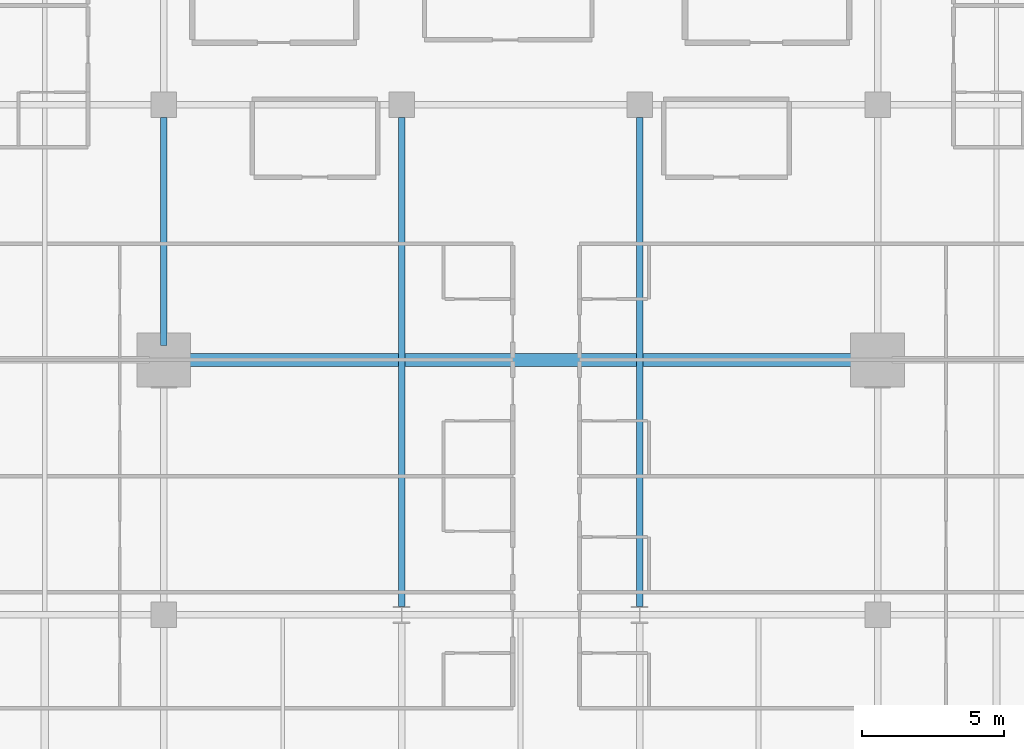
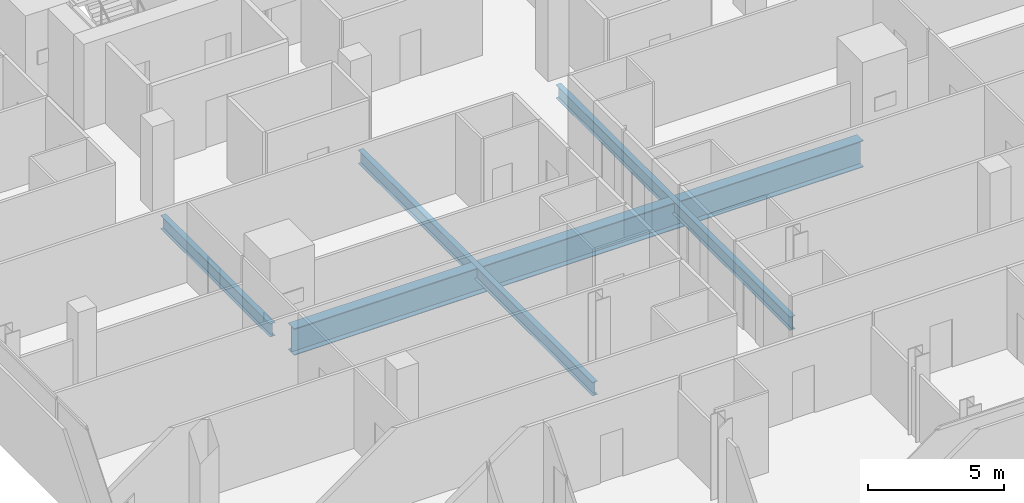
# One storey, part 11 of 34: 4 beams.
"""IFC4 building model written with IfcOpenShell, lengths in metres."""

from ifc_helpers import new_model, si_unit, direction, frame, origin, origin_2d, place, context, subcontext, project, spatial, i_section, extrude, material, material_profile, profile_set, type_object, element, save


model = new_model("IFC4")

# Units and contexts
model_context = context("Model", 3, precision=1e-05, world=origin(), true_north=direction((0.0, 1.0)))
body_context = subcontext(model_context, "Body", "Model", "MODEL_VIEW")
ifc_project = project(units=[si_unit("LENGTHUNIT", "METRE"), si_unit("AREAUNIT", "SQUARE_METRE"), si_unit("VOLUMEUNIT", "CUBIC_METRE"), si_unit("PLANEANGLEUNIT", "RADIAN"), si_unit("MASSUNIT", "GRAM", prefix="KILO")], contexts=[model_context])

# Site, building, storey
site_placement = place(None, origin())
site = spatial("IfcSite", under=ifc_project, at=site_placement, CompositionType="ELEMENT")
building_placement = place(site_placement, origin())
building = spatial("IfcBuilding", under=site, at=building_placement, Name="Maruvema Waterfront Hotel and Observation Tower", CompositionType="ELEMENT")
storey_placement = place(building_placement, frame((0.0, 0.0, 173.60009765625)))
storey = spatial("IfcBuildingStorey", under=building, at=storey_placement, Name="L42", CompositionType="ELEMENT", Elevation=173.60009765625)

# Beams
ifc_material_1 = material(Name="Steel ASTM A572 Grade 50", Category="steel")
ifc_material_profile_1 = material_profile(ifc_material_1, i_section(OverallWidth=0.22802734375, OverallDepth=0.60302734375, WebThickness=0.010498046875, FlangeThickness=0.014892578125, FilletRadius=0.01806640625, at=origin_2d()), Name="W610x101.0")
ifc_profile_set_1 = profile_set([ifc_material_profile_1], Name="Steel ASTM A572 Grade 50")
beam_type_1 = type_object("IfcBeamType", Name="Primary Floor Girder W610x101.0", PredefinedType="BEAM", material=ifc_profile_set_1)
beam_1_placement = place(storey_placement, frame((25.199951171875, 27.5, -0.54150390625), z_axis=(0.0, 1.0, 0.0), x_axis=(-1.0, 0.0, 0.0)))
element("IfcBeam", 1, at=beam_1_placement, inside=storey, type_object=beam_type_1, Name="L42 Floor Girder NS-12", PredefinedType="BEAM", context=body_context, shape_type="SweptSolid", body=[
    extrude(i_section(OverallWidth=0.22802734375, OverallDepth=0.60302734375, WebThickness=0.010498046875, FlangeThickness=0.014892578125, FilletRadius=0.01806640625, at=origin_2d()), origin(), (0.0, 0.0, 1.0), 8.050048828125),
])
for number, where, z_axis, x_axis, name in (
    (2, (33.60009765625, 18.300048828125, -0.54150390625), (0.0, 1.0, 0.0), (-1.0, 0.0, 0.0), "L42 Floor Girder NS-16"),
    (3, (42.0, 18.300048828125, -0.54150390625), (0.0, 1.0, 0.0), (-1.0, 0.0, 0.0), "L42 Floor Girder NS-19"),
):
    element("IfcBeam", number, at=place(storey_placement, frame(where, z_axis=z_axis, x_axis=x_axis)), inside=storey, type_object=beam_type_1, Name=name, PredefinedType="BEAM", context=body_context, shape_type="SweptSolid", body=[
        extrude(i_section(OverallWidth=0.22802734375, OverallDepth=0.60302734375, WebThickness=0.010498046875, FlangeThickness=0.014892578125, FilletRadius=0.01806640625, at=origin_2d()), origin(), (0.0, 0.0, 1.0), 17.25),
    ])
ifc_material_2 = material(Name="Steel ABNT NBR 7007 AR 415 (ASTM A572 Grade 50)", Category="steel")
ifc_material_profile_2 = material_profile(ifc_material_2, i_section(OverallWidth=0.449951171875, OverallDepth=1.199951171875, WebThickness=0.01904296875, FlangeThickness=0.031982421875, at=origin_2d()), Name="VS1200x366")
ifc_profile_set_2 = profile_set([ifc_material_profile_2], Name="Steel ABNT NBR 7007 AR 415 (ASTM A572 Grade 50)")
beam_type_2 = type_object("IfcBeamType", Name="Upper Setback Transfer Girder VS1200x366", PredefinedType="USERDEFINED", material=ifc_profile_set_2)
beam_2_placement = place(storey_placement, frame((25.699951171875, 27.0, -0.840087890625), z_axis=(1.0, 0.0, 0.0), x_axis=(0.0, 1.0, 0.0)))
element("IfcBeam", 4, at=beam_2_placement, inside=storey, type_object=beam_type_2, Name="L42 Floor Girder EW-20", ObjectType="TRANSFER GIRDER", PredefinedType="USERDEFINED", context=body_context, shape_type="SweptSolid", body=[
    extrude(i_section(OverallWidth=0.449951171875, OverallDepth=1.199951171875, WebThickness=0.01904296875, FlangeThickness=0.031982421875, at=origin_2d()), origin(), (0.0, 0.0, 1.0), 24.199951171875),
])

save(model, "model.ifc")
